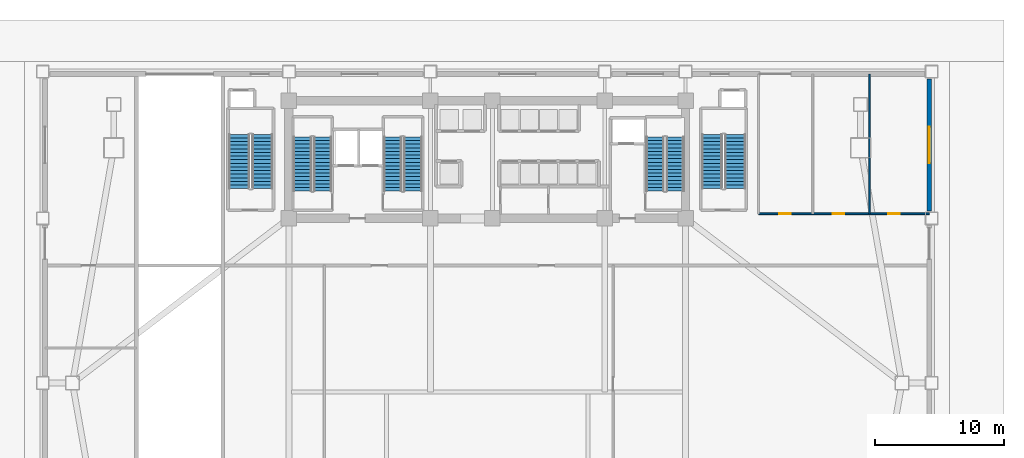
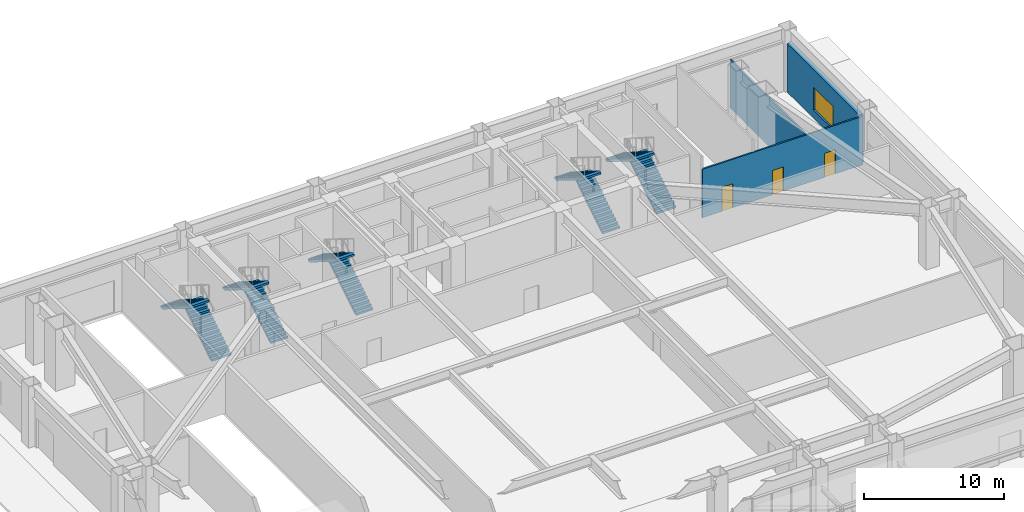
# One storey, part 12 of 18: 10 stair flights, 3 doors, 3 walls, 1 window, 4 openings, 5 elements without a shape of their own.
"""IFC4 building model written with IfcOpenShell, lengths in metres."""

from ifc_helpers import new_model, si_unit, direction, frame, frame_2d, origin, place, context, subcontext, project, spatial, polyline, rectangle, outline, extrude, source, transform, mapped, material, layer, layer_set, type_object, element, fill, aggregate, save


model = new_model("IFC4")

# Units and contexts
model_context = context("Model", 3, precision=1e-05, world=origin(), true_north=direction((0.0, 1.0)))
body_context = subcontext(model_context, "Body", "Model", "MODEL_VIEW")
ifc_project = project(units=[si_unit("LENGTHUNIT", "METRE"), si_unit("AREAUNIT", "SQUARE_METRE"), si_unit("VOLUMEUNIT", "CUBIC_METRE"), si_unit("PLANEANGLEUNIT", "RADIAN"), si_unit("MASSUNIT", "GRAM", prefix="KILO")], contexts=[model_context])

# Site, building, storey
site_placement = place(None, origin())
site = spatial("IfcSite", under=ifc_project, at=site_placement, CompositionType="ELEMENT")
building_placement = place(site_placement, origin())
building = spatial("IfcBuilding", under=site, at=building_placement, Name="Giltprow Tower", CompositionType="ELEMENT")
storey_placement = place(building_placement, origin())
storey = spatial("IfcBuildingStorey", under=building, at=storey_placement, Name="L01", CompositionType="ELEMENT", Elevation=0.0)

# Wall, opening, window
ifc_material_1 = material(Name="Precast concrete C40", Category="concrete")
ifc_layer_1 = layer(ifc_material_1, 0.360107421875, Name="Precast concrete C40")
ifc_layer_set_1 = layer_set([ifc_layer_1], Name="Precast concrete C40")
wall_type_1 = type_object("IfcWallType", Name="EW-POD-STONE-360", PredefinedType="SOLIDWALL", material=ifc_layer_set_1)
wall_1_placement = place(storey_placement, frame((69.419921875, 38.0, 0.0), z_axis=(0.0, 0.0, 1.0), x_axis=(0.0, 1.0, 0.0)))
wall_1 = element("IfcWall", 1, at=wall_1_placement, inside=storey, type_object=wall_type_1, Name="L01 E Podium Masonry Wall 3", PredefinedType="SOLIDWALL", context=body_context, shape_type="SweptSolid", body=[
    extrude(rectangle(XDim=10.25, YDim=0.360107421875, at=frame_2d((5.125, 0.0))), origin(), (0.0, 0.0, 1.0), 4.219970703125),
])
opening_1_placement = place(wall_1_placement, frame((3.72509765625, 0.0, 0.719970703125)))
opening_1 = element("IfcOpeningElement", 2, at=opening_1_placement, cuts=wall_1, Name="Opening WN31", PredefinedType="OPENING", context=body_context, shape_type="SweptSolid", body=[
    extrude(rectangle(XDim=2.800048828125, YDim=2.0, at=frame_2d((1.39990234375, 1.0))), frame((0.0, 0.18994140625, 0.0), z_axis=(0.0, -1.0, 0.0), x_axis=(1.0, 0.0, 0.0)), (0.0, 0.0, 1.0), 0.380126953125),
])
ifc_material_2 = material(Name="Insulated glass", Category="glass")
window_type = type_object("IfcWindowType", Name="WN-POD-2800x2000", PartitioningType="SINGLE_PANEL", PredefinedType="WINDOW", material=ifc_material_2)
shared_shape_1 = source(origin(), body_context, "Body", "SweptSolid", [
    extrude(rectangle(XDim=2.800048828125, YDim=2.0, at=frame_2d((1.39990234375, 1.0))), frame((0.0, 0.030029296875, 0.0), z_axis=(0.0, -1.0, 0.0), x_axis=(1.0, 0.0, 0.0)), (0.0, 0.0, 1.0), 0.06005859375),
])
window_placement = place(opening_1_placement, origin())
window = element("IfcWindow", 3, at=window_placement, inside=storey, type_object=window_type, Name="L01 Podium E Window 3", OverallHeight=2.0, OverallWidth=2.800048828125, PartitioningType="SINGLE_PANEL", PredefinedType="WINDOW", context=body_context, shape_type="MappedRepresentation", body=[
    mapped(shared_shape_1, transform((0.0, 0.0, 0.0), x_axis=(1.0, 0.0, 0.0), y_axis=(0.0, 1.0, 0.0), z_axis=(0.0, 0.0, 1.0), scale=1.0)),
])
fill(opening_1, window)

# Wall, openings, doors
ifc_material_3 = material(Name="Concrete C30", Category="concrete")
ifc_layer_2 = layer(ifc_material_3, 0.1298828125, Name="Concrete C30")
ifc_layer_set_2 = layer_set([ifc_layer_2], Name="Concrete C30")
wall_type_2 = type_object("IfcWallType", Name="IW-WET-130", PredefinedType="PARTITIONING", material=ifc_layer_set_2)
wall_2_placement = place(storey_placement, frame((56.199951171875, 37.800048828125, 0.0), z_axis=(0.0, 0.0, 1.0), x_axis=(1.0, 0.0, 0.0)))
wall_2 = element("IfcWall", 4, at=wall_2_placement, inside=storey, type_object=wall_type_2, Name="L01 Public Washrooms South Wall", PredefinedType="PARTITIONING", context=body_context, shape_type="SweptSolid", body=[
    extrude(rectangle(XDim=13.219970703125, YDim=0.1298828125, at=frame_2d((6.60986328125, 0.0))), origin(), (0.0, 0.0, 1.0), 4.22509765625),
])
opening_2_placement = place(wall_2_placement, frame((1.60009765625, 0.0, 0.0)))
opening_2 = element("IfcOpeningElement", 5, at=opening_2_placement, cuts=wall_2, Name="Opening ID15", PredefinedType="OPENING", context=body_context, shape_type="SweptSolid", body=[
    extrude(rectangle(XDim=0.89990234375, YDim=2.10009765625, at=frame_2d((0.449951171875, 1.050048828125))), frame((0.0, 0.074951171875, 0.0), z_axis=(0.0, -1.0, 0.0), x_axis=(1.0, 0.0, 0.0)), (0.0, 0.0, 1.0), 0.14990234375),
])
opening_3_placement = place(wall_2_placement, frame((5.75, 0.0, 0.0)))
opening_3 = element("IfcOpeningElement", 6, at=opening_3_placement, cuts=wall_2, Name="Opening ID15", PredefinedType="OPENING", context=body_context, shape_type="SweptSolid", body=[
    extrude(rectangle(XDim=0.89990234375, YDim=2.10009765625, at=frame_2d((0.449951171875, 1.050048828125))), frame((0.0, 0.074951171875, 0.0), z_axis=(0.0, -1.0, 0.0), x_axis=(1.0, 0.0, 0.0)), (0.0, 0.0, 1.0), 0.14990234375),
])
opening_4_placement = place(wall_2_placement, frame((10.050048828125, 0.0, 0.0)))
opening_4 = element("IfcOpeningElement", 7, at=opening_4_placement, cuts=wall_2, Name="Opening ID15", PredefinedType="OPENING", context=body_context, shape_type="SweptSolid", body=[
    extrude(rectangle(XDim=0.89990234375, YDim=2.10009765625, at=frame_2d((0.449951171875, 1.050048828125))), frame((0.0, 0.074951171875, 0.0), z_axis=(0.0, -1.0, 0.0), x_axis=(1.0, 0.0, 0.0)), (0.0, 0.0, 1.0), 0.14990234375),
])
ifc_material_4 = material(Name="Engineered timber", Category="wood")
door_type = type_object("IfcDoorType", Name="DR-WC-900", OperationType="SINGLE_SWING_LEFT", PredefinedType="DOOR", material=ifc_material_4)
shared_shape_2 = source(origin(), body_context, "Body", "SweptSolid", [
    extrude(rectangle(XDim=0.89990234375, YDim=2.10009765625, at=frame_2d((0.449951171875, 1.050048828125))), frame((0.0, 0.02490234375, 0.0), z_axis=(0.0, -1.0, 0.0), x_axis=(1.0, 0.0, 0.0)), (0.0, 0.0, 1.0), 0.050048828125),
])
door_1_placement = place(opening_2_placement, origin())
door_1 = element("IfcDoor", 8, at=door_1_placement, inside=storey, type_object=door_type, Name="L01 Male Public Restroom Door", OperationType="SINGLE_SWING_RIGHT", OverallHeight=2.10009765625, OverallWidth=0.89990234375, PredefinedType="DOOR", context=body_context, shape_type="MappedRepresentation", body=[
    mapped(shared_shape_2, transform((0.0, 0.0, 0.0), x_axis=(1.0, 0.0, 0.0), y_axis=(0.0, 1.0, 0.0), z_axis=(0.0, 0.0, 1.0), scale=1.0)),
])
fill(opening_2, door_1)
door_2_placement = place(opening_3_placement, origin())
door_2 = element("IfcDoor", 9, at=door_2_placement, inside=storey, type_object=door_type, Name="L01 Female Public Restroom Door", OperationType="SINGLE_SWING_LEFT", OverallHeight=2.10009765625, OverallWidth=0.89990234375, PredefinedType="DOOR", context=body_context, shape_type="MappedRepresentation", body=[
    mapped(shared_shape_2, transform((0.0, 0.0, 0.0), x_axis=(1.0, 0.0, 0.0), y_axis=(0.0, 1.0, 0.0), z_axis=(0.0, 0.0, 1.0), scale=1.0)),
])
fill(opening_3, door_2)
door_3_placement = place(opening_4_placement, origin())
door_3 = element("IfcDoor", 10, at=door_3_placement, inside=storey, type_object=door_type, Name="L01 Accessible Restroom Door", OperationType="SINGLE_SWING_RIGHT", OverallHeight=2.10009765625, OverallWidth=0.89990234375, PredefinedType="DOOR", context=body_context, shape_type="MappedRepresentation", body=[
    mapped(shared_shape_2, transform((0.0, 0.0, 0.0), x_axis=(1.0, 0.0, 0.0), y_axis=(0.0, 1.0, 0.0), z_axis=(0.0, 0.0, 1.0), scale=1.0)),
])
fill(opening_4, door_3)

# Wall
wall_3_placement = place(storey_placement, frame((64.800048828125, 37.800048828125, 0.0), z_axis=(0.0, 0.0, 1.0), x_axis=(0.0, 1.0, 0.0)))
element("IfcWall", 11, at=wall_3_placement, inside=storey, type_object=wall_type_2, Name="L01 Washroom Divider 2", PredefinedType="PARTITIONING", context=body_context, shape_type="SweptSolid", body=[
    extrude(rectangle(XDim=10.820068359375, YDim=0.1298828125, at=frame_2d((5.41015625, 0.0))), origin(), (0.0, 0.0, 1.0), 4.22509765625),
])

# Stair, stair flights
ifc_material_5 = material(Name="Concrete C40", Category="concrete")
stair_type_1 = type_object("IfcStairType", Name="STR-ST-1", PredefinedType="HALF_TURN_STAIR", material=ifc_material_5)
stair_1_placement = place(storey_placement, origin())
stair_1 = element("IfcStair", 12, at=stair_1_placement, inside=storey, type_object=stair_type_1, Name="L01 Core Exit Stair ST-1", PredefinedType="HALF_TURN_STAIR")
stair_flight_type_1 = type_object("IfcStairFlightType", Name="SFL-ST-1", PredefinedType="STRAIGHT", material=ifc_material_5)
stair_flight_1_placement = place(storey_placement, frame((22.4599609375, 39.550048828125, 0.0), z_axis=(0.0, 0.0, 1.0), x_axis=(0.0, 1.0, 0.0)))
stair_flight_1 = element("IfcStairFlight", 13, at=stair_flight_1_placement, type_object=stair_flight_type_1, Name="ST-1 flight 1", NumberOfRisers=16, NumberOfTreads=15, PredefinedType="STRAIGHT", RiserHeight=0.175, TreadLength=0.28, context=body_context, shape_type="SweptSolid", body=[
    extrude(outline(polyline([(0.0, 0.0), (0.0, 0.175048828125), (0.280029296875, 0.175048828125), (0.280029296875, 0.35009765625), (0.56005859375, 0.35009765625), (0.56005859375, 0.52490234375), (0.840087890625, 0.52490234375), (0.840087890625, 0.699951171875), (1.1201171875, 0.699951171875), (1.1201171875, 0.875), (1.39990234375, 0.875), (1.39990234375, 1.050048828125), (1.679931640625, 1.050048828125), (1.679931640625, 1.22509765625), (1.9599609375, 1.22509765625), (1.9599609375, 1.39990234375), (2.239990234375, 1.39990234375), (2.239990234375, 1.574951171875), (2.52001953125, 1.574951171875), (2.52001953125, 1.75), (2.800048828125, 1.75), (2.800048828125, 1.925048828125), (3.080078125, 1.925048828125), (3.080078125, 2.10009765625), (3.360107421875, 2.10009765625), (3.360107421875, 2.27490234375), (3.639892578125, 2.27490234375), (3.639892578125, 2.449951171875), (3.919921875, 2.449951171875), (3.919921875, 2.625), (4.199951171875, 2.625), (4.199951171875, 2.800048828125), (4.199951171875, 2.4482421875), (0.28271484375, 0.0), (0.0, 0.0)])), frame((0.0, 0.699951171875, 0.0), z_axis=(0.0, -1.0, 0.0), x_axis=(1.0, 0.0, 0.0)), (0.0, 0.0, 1.0), 1.39990234375),
])
stair_flight_2_placement = place(storey_placement, frame((20.89990234375, 43.75, 2.800048828125), z_axis=(0.0, 0.0, 1.0), x_axis=(0.0, -1.0, 0.0)))
stair_flight_2 = element("IfcStairFlight", 14, at=stair_flight_2_placement, type_object=stair_flight_type_1, Name="ST-1 flight 2", NumberOfRisers=16, NumberOfTreads=15, PredefinedType="STRAIGHT", RiserHeight=0.175, TreadLength=0.28, context=body_context, shape_type="SweptSolid", body=[
    extrude(outline(polyline([(0.0, 0.0), (0.0, 0.175048828125), (0.280029296875, 0.175048828125), (0.280029296875, 0.35009765625), (0.56005859375, 0.35009765625), (0.56005859375, 0.52490234375), (0.840087890625, 0.52490234375), (0.840087890625, 0.699951171875), (1.1201171875, 0.699951171875), (1.1201171875, 0.875), (1.39990234375, 0.875), (1.39990234375, 1.050048828125), (1.679931640625, 1.050048828125), (1.679931640625, 1.22509765625), (1.9599609375, 1.22509765625), (1.9599609375, 1.39990234375), (2.239990234375, 1.39990234375), (2.239990234375, 1.574951171875), (2.52001953125, 1.574951171875), (2.52001953125, 1.75), (2.800048828125, 1.75), (2.800048828125, 1.925048828125), (3.080078125, 1.925048828125), (3.080078125, 2.10009765625), (3.360107421875, 2.10009765625), (3.360107421875, 2.27490234375), (3.639892578125, 2.27490234375), (3.639892578125, 2.449951171875), (3.919921875, 2.449951171875), (3.919921875, 2.625), (4.199951171875, 2.625), (4.199951171875, 2.800048828125), (4.199951171875, 2.4482421875), (0.28271484375, 0.0), (0.0, 0.0)])), frame((0.0, 0.699951171875, 0.0), z_axis=(0.0, -1.0, 0.0), x_axis=(1.0, 0.0, 0.0)), (0.0, 0.0, 1.0), 1.39990234375),
])
aggregate(stair_1, [stair_flight_1, stair_flight_2])

stair_type_2 = type_object("IfcStairType", Name="STR-ST-2", PredefinedType="HALF_TURN_STAIR", material=ifc_material_5)
stair_2_placement = place(storey_placement, origin())
stair_2 = element("IfcStair", 15, at=stair_2_placement, inside=storey, type_object=stair_type_2, Name="L01 Core Exit Stair ST-2", PredefinedType="HALF_TURN_STAIR")
stair_flight_type_2 = type_object("IfcStairFlightType", Name="SFL-ST-2", PredefinedType="STRAIGHT", material=ifc_material_5)
stair_flight_3_placement = place(storey_placement, frame((29.4599609375, 39.550048828125, 0.0), z_axis=(0.0, 0.0, 1.0), x_axis=(0.0, 1.0, 0.0)))
stair_flight_3 = element("IfcStairFlight", 16, at=stair_flight_3_placement, type_object=stair_flight_type_2, Name="ST-2 flight 1", NumberOfRisers=16, NumberOfTreads=15, PredefinedType="STRAIGHT", RiserHeight=0.175, TreadLength=0.28, context=body_context, shape_type="SweptSolid", body=[
    extrude(outline(polyline([(0.0, 0.0), (0.0, 0.175048828125), (0.280029296875, 0.175048828125), (0.280029296875, 0.35009765625), (0.56005859375, 0.35009765625), (0.56005859375, 0.52490234375), (0.840087890625, 0.52490234375), (0.840087890625, 0.699951171875), (1.1201171875, 0.699951171875), (1.1201171875, 0.875), (1.39990234375, 0.875), (1.39990234375, 1.050048828125), (1.679931640625, 1.050048828125), (1.679931640625, 1.22509765625), (1.9599609375, 1.22509765625), (1.9599609375, 1.39990234375), (2.239990234375, 1.39990234375), (2.239990234375, 1.574951171875), (2.52001953125, 1.574951171875), (2.52001953125, 1.75), (2.800048828125, 1.75), (2.800048828125, 1.925048828125), (3.080078125, 1.925048828125), (3.080078125, 2.10009765625), (3.360107421875, 2.10009765625), (3.360107421875, 2.27490234375), (3.639892578125, 2.27490234375), (3.639892578125, 2.449951171875), (3.919921875, 2.449951171875), (3.919921875, 2.625), (4.199951171875, 2.625), (4.199951171875, 2.800048828125), (4.199951171875, 2.4482421875), (0.28271484375, 0.0), (0.0, 0.0)])), frame((0.0, 0.699951171875, 0.0), z_axis=(0.0, -1.0, 0.0), x_axis=(1.0, 0.0, 0.0)), (0.0, 0.0, 1.0), 1.39990234375),
])
stair_flight_4_placement = place(storey_placement, frame((27.89990234375, 43.75, 2.800048828125), z_axis=(0.0, 0.0, 1.0), x_axis=(0.0, -1.0, 0.0)))
stair_flight_4 = element("IfcStairFlight", 17, at=stair_flight_4_placement, type_object=stair_flight_type_2, Name="ST-2 flight 2", NumberOfRisers=16, NumberOfTreads=15, PredefinedType="STRAIGHT", RiserHeight=0.175, TreadLength=0.28, context=body_context, shape_type="SweptSolid", body=[
    extrude(outline(polyline([(0.0, 0.0), (0.0, 0.175048828125), (0.280029296875, 0.175048828125), (0.280029296875, 0.35009765625), (0.56005859375, 0.35009765625), (0.56005859375, 0.52490234375), (0.840087890625, 0.52490234375), (0.840087890625, 0.699951171875), (1.1201171875, 0.699951171875), (1.1201171875, 0.875), (1.39990234375, 0.875), (1.39990234375, 1.050048828125), (1.679931640625, 1.050048828125), (1.679931640625, 1.22509765625), (1.9599609375, 1.22509765625), (1.9599609375, 1.39990234375), (2.239990234375, 1.39990234375), (2.239990234375, 1.574951171875), (2.52001953125, 1.574951171875), (2.52001953125, 1.75), (2.800048828125, 1.75), (2.800048828125, 1.925048828125), (3.080078125, 1.925048828125), (3.080078125, 2.10009765625), (3.360107421875, 2.10009765625), (3.360107421875, 2.27490234375), (3.639892578125, 2.27490234375), (3.639892578125, 2.449951171875), (3.919921875, 2.449951171875), (3.919921875, 2.625), (4.199951171875, 2.625), (4.199951171875, 2.800048828125), (4.199951171875, 2.4482421875), (0.28271484375, 0.0), (0.0, 0.0)])), frame((0.0, 0.699951171875, 0.0), z_axis=(0.0, -1.0, 0.0), x_axis=(1.0, 0.0, 0.0)), (0.0, 0.0, 1.0), 1.39990234375),
])
aggregate(stair_2, [stair_flight_3, stair_flight_4])

stair_type_3 = type_object("IfcStairType", Name="STR-ST-3", PredefinedType="HALF_TURN_STAIR", material=ifc_material_5)
stair_3_placement = place(storey_placement, origin())
stair_3 = element("IfcStair", 18, at=stair_3_placement, inside=storey, type_object=stair_type_3, Name="L01 Core Exit Stair ST-3", PredefinedType="HALF_TURN_STAIR")
stair_flight_type_3 = type_object("IfcStairFlightType", Name="SFL-ST-3", PredefinedType="STRAIGHT", material=ifc_material_5)
stair_flight_5_placement = place(storey_placement, frame((49.760009765625, 39.550048828125, 0.0), z_axis=(0.0, 0.0, 1.0), x_axis=(0.0, 1.0, 0.0)))
stair_flight_5 = element("IfcStairFlight", 19, at=stair_flight_5_placement, type_object=stair_flight_type_3, Name="ST-3 flight 1", NumberOfRisers=16, NumberOfTreads=15, PredefinedType="STRAIGHT", RiserHeight=0.175, TreadLength=0.28, context=body_context, shape_type="SweptSolid", body=[
    extrude(outline(polyline([(0.0, 0.0), (0.0, 0.175048828125), (0.280029296875, 0.175048828125), (0.280029296875, 0.35009765625), (0.56005859375, 0.35009765625), (0.56005859375, 0.52490234375), (0.840087890625, 0.52490234375), (0.840087890625, 0.699951171875), (1.1201171875, 0.699951171875), (1.1201171875, 0.875), (1.39990234375, 0.875), (1.39990234375, 1.050048828125), (1.679931640625, 1.050048828125), (1.679931640625, 1.22509765625), (1.9599609375, 1.22509765625), (1.9599609375, 1.39990234375), (2.239990234375, 1.39990234375), (2.239990234375, 1.574951171875), (2.52001953125, 1.574951171875), (2.52001953125, 1.75), (2.800048828125, 1.75), (2.800048828125, 1.925048828125), (3.080078125, 1.925048828125), (3.080078125, 2.10009765625), (3.360107421875, 2.10009765625), (3.360107421875, 2.27490234375), (3.639892578125, 2.27490234375), (3.639892578125, 2.449951171875), (3.919921875, 2.449951171875), (3.919921875, 2.625), (4.199951171875, 2.625), (4.199951171875, 2.800048828125), (4.199951171875, 2.4482421875), (0.28271484375, 0.0), (0.0, 0.0)])), frame((0.0, 0.699951171875, 0.0), z_axis=(0.0, -1.0, 0.0), x_axis=(1.0, 0.0, 0.0)), (0.0, 0.0, 1.0), 1.39990234375),
])
stair_flight_6_placement = place(storey_placement, frame((48.199951171875, 43.75, 2.800048828125), z_axis=(0.0, 0.0, 1.0), x_axis=(0.0, -1.0, 0.0)))
stair_flight_6 = element("IfcStairFlight", 20, at=stair_flight_6_placement, type_object=stair_flight_type_3, Name="ST-3 flight 2", NumberOfRisers=16, NumberOfTreads=15, PredefinedType="STRAIGHT", RiserHeight=0.175, TreadLength=0.28, context=body_context, shape_type="SweptSolid", body=[
    extrude(outline(polyline([(0.0, 0.0), (0.0, 0.175048828125), (0.280029296875, 0.175048828125), (0.280029296875, 0.35009765625), (0.56005859375, 0.35009765625), (0.56005859375, 0.52490234375), (0.840087890625, 0.52490234375), (0.840087890625, 0.699951171875), (1.1201171875, 0.699951171875), (1.1201171875, 0.875), (1.39990234375, 0.875), (1.39990234375, 1.050048828125), (1.679931640625, 1.050048828125), (1.679931640625, 1.22509765625), (1.9599609375, 1.22509765625), (1.9599609375, 1.39990234375), (2.239990234375, 1.39990234375), (2.239990234375, 1.574951171875), (2.52001953125, 1.574951171875), (2.52001953125, 1.75), (2.800048828125, 1.75), (2.800048828125, 1.925048828125), (3.080078125, 1.925048828125), (3.080078125, 2.10009765625), (3.360107421875, 2.10009765625), (3.360107421875, 2.27490234375), (3.639892578125, 2.27490234375), (3.639892578125, 2.449951171875), (3.919921875, 2.449951171875), (3.919921875, 2.625), (4.199951171875, 2.625), (4.199951171875, 2.800048828125), (4.199951171875, 2.4482421875), (0.28271484375, 0.0), (0.0, 0.0)])), frame((0.0, 0.699951171875, 0.0), z_axis=(0.0, -1.0, 0.0), x_axis=(1.0, 0.0, 0.0)), (0.0, 0.0, 1.0), 1.39990234375),
])
aggregate(stair_3, [stair_flight_5, stair_flight_6])

stair_type_4 = type_object("IfcStairType", Name="STR-ST-P1", PredefinedType="HALF_TURN_STAIR", material=ifc_material_5)
stair_4_placement = place(storey_placement, origin())
stair_4 = element("IfcStair", 21, at=stair_4_placement, inside=storey, type_object=stair_type_4, Name="L01 Podium Exit Stair ST-P1", PredefinedType="HALF_TURN_STAIR")
stair_flight_type_4 = type_object("IfcStairFlightType", Name="SFL-ST-P1", PredefinedType="STRAIGHT", material=ifc_material_5)
stair_flight_7_placement = place(storey_placement, frame((17.800048828125, 39.75, 0.0), z_axis=(0.0, 0.0, 1.0), x_axis=(0.0, 1.0, 0.0)))
stair_flight_7 = element("IfcStairFlight", 22, at=stair_flight_7_placement, type_object=stair_flight_type_4, Name="ST-P1 flight 1", NumberOfRisers=16, NumberOfTreads=15, PredefinedType="STRAIGHT", RiserHeight=0.175, TreadLength=0.28, context=body_context, shape_type="SweptSolid", body=[
    extrude(outline(polyline([(0.0, 0.0), (0.0, 0.175048828125), (0.280029296875, 0.175048828125), (0.280029296875, 0.35009765625), (0.56005859375, 0.35009765625), (0.56005859375, 0.52490234375), (0.840087890625, 0.52490234375), (0.840087890625, 0.699951171875), (1.1201171875, 0.699951171875), (1.1201171875, 0.875), (1.39990234375, 0.875), (1.39990234375, 1.050048828125), (1.679931640625, 1.050048828125), (1.679931640625, 1.22509765625), (1.9599609375, 1.22509765625), (1.9599609375, 1.39990234375), (2.239990234375, 1.39990234375), (2.239990234375, 1.574951171875), (2.52001953125, 1.574951171875), (2.52001953125, 1.75), (2.800048828125, 1.75), (2.800048828125, 1.925048828125), (3.080078125, 1.925048828125), (3.080078125, 2.10009765625), (3.360107421875, 2.10009765625), (3.360107421875, 2.27490234375), (3.639892578125, 2.27490234375), (3.639892578125, 2.449951171875), (3.919921875, 2.449951171875), (3.919921875, 2.625), (4.199951171875, 2.625), (4.199951171875, 2.800048828125), (4.199951171875, 2.4482421875), (0.28271484375, 0.0), (0.0, 0.0)])), frame((0.0, 0.800048828125, 0.0), z_axis=(0.0, -1.0, 0.0), x_axis=(1.0, 0.0, 0.0)), (0.0, 0.0, 1.0), 1.60009765625),
])
stair_flight_8_placement = place(storey_placement, frame((16.0, 43.949951171875, 2.800048828125), z_axis=(0.0, 0.0, 1.0), x_axis=(0.0, -1.0, 0.0)))
stair_flight_8 = element("IfcStairFlight", 23, at=stair_flight_8_placement, type_object=stair_flight_type_4, Name="ST-P1 flight 2", NumberOfRisers=16, NumberOfTreads=15, PredefinedType="STRAIGHT", RiserHeight=0.175, TreadLength=0.28, context=body_context, shape_type="SweptSolid", body=[
    extrude(outline(polyline([(0.0, 0.0), (0.0, 0.175048828125), (0.280029296875, 0.175048828125), (0.280029296875, 0.35009765625), (0.56005859375, 0.35009765625), (0.56005859375, 0.52490234375), (0.840087890625, 0.52490234375), (0.840087890625, 0.699951171875), (1.1201171875, 0.699951171875), (1.1201171875, 0.875), (1.39990234375, 0.875), (1.39990234375, 1.050048828125), (1.679931640625, 1.050048828125), (1.679931640625, 1.22509765625), (1.9599609375, 1.22509765625), (1.9599609375, 1.39990234375), (2.239990234375, 1.39990234375), (2.239990234375, 1.574951171875), (2.52001953125, 1.574951171875), (2.52001953125, 1.75), (2.800048828125, 1.75), (2.800048828125, 1.925048828125), (3.080078125, 1.925048828125), (3.080078125, 2.10009765625), (3.360107421875, 2.10009765625), (3.360107421875, 2.27490234375), (3.639892578125, 2.27490234375), (3.639892578125, 2.449951171875), (3.919921875, 2.449951171875), (3.919921875, 2.625), (4.199951171875, 2.625), (4.199951171875, 2.800048828125), (4.199951171875, 2.4482421875), (0.28271484375, 0.0), (0.0, 0.0)])), frame((0.0, 0.800048828125, 0.0), z_axis=(0.0, -1.0, 0.0), x_axis=(1.0, 0.0, 0.0)), (0.0, 0.0, 1.0), 1.60009765625),
])
aggregate(stair_4, [stair_flight_7, stair_flight_8])

stair_type_5 = type_object("IfcStairType", Name="STR-ST-P2", PredefinedType="HALF_TURN_STAIR", material=ifc_material_5)
stair_5_placement = place(storey_placement, origin())
stair_5 = element("IfcStair", 24, at=stair_5_placement, inside=storey, type_object=stair_type_5, Name="L01 Podium Exit Stair ST-P2", PredefinedType="HALF_TURN_STAIR")
stair_flight_type_5 = type_object("IfcStairFlightType", Name="SFL-ST-P2", PredefinedType="STRAIGHT", material=ifc_material_5)
stair_flight_9_placement = place(storey_placement, frame((54.39990234375, 39.75, 0.0), z_axis=(0.0, 0.0, 1.0), x_axis=(0.0, 1.0, 0.0)))
stair_flight_9 = element("IfcStairFlight", 25, at=stair_flight_9_placement, type_object=stair_flight_type_5, Name="ST-P2 flight 1", NumberOfRisers=16, NumberOfTreads=15, PredefinedType="STRAIGHT", RiserHeight=0.175, TreadLength=0.28, context=body_context, shape_type="SweptSolid", body=[
    extrude(outline(polyline([(0.0, 0.0), (0.0, 0.175048828125), (0.280029296875, 0.175048828125), (0.280029296875, 0.35009765625), (0.56005859375, 0.35009765625), (0.56005859375, 0.52490234375), (0.840087890625, 0.52490234375), (0.840087890625, 0.699951171875), (1.1201171875, 0.699951171875), (1.1201171875, 0.875), (1.39990234375, 0.875), (1.39990234375, 1.050048828125), (1.679931640625, 1.050048828125), (1.679931640625, 1.22509765625), (1.9599609375, 1.22509765625), (1.9599609375, 1.39990234375), (2.239990234375, 1.39990234375), (2.239990234375, 1.574951171875), (2.52001953125, 1.574951171875), (2.52001953125, 1.75), (2.800048828125, 1.75), (2.800048828125, 1.925048828125), (3.080078125, 1.925048828125), (3.080078125, 2.10009765625), (3.360107421875, 2.10009765625), (3.360107421875, 2.27490234375), (3.639892578125, 2.27490234375), (3.639892578125, 2.449951171875), (3.919921875, 2.449951171875), (3.919921875, 2.625), (4.199951171875, 2.625), (4.199951171875, 2.800048828125), (4.199951171875, 2.4482421875), (0.28271484375, 0.0), (0.0, 0.0)])), frame((0.0, 0.800048828125, 0.0), z_axis=(0.0, -1.0, 0.0), x_axis=(1.0, 0.0, 0.0)), (0.0, 0.0, 1.0), 1.60009765625),
])
stair_flight_10_placement = place(storey_placement, frame((52.60009765625, 43.949951171875, 2.800048828125), z_axis=(0.0, 0.0, 1.0), x_axis=(0.0, -1.0, 0.0)))
stair_flight_10 = element("IfcStairFlight", 26, at=stair_flight_10_placement, type_object=stair_flight_type_5, Name="ST-P2 flight 2", NumberOfRisers=16, NumberOfTreads=15, PredefinedType="STRAIGHT", RiserHeight=0.175, TreadLength=0.28, context=body_context, shape_type="SweptSolid", body=[
    extrude(outline(polyline([(0.0, 0.0), (0.0, 0.175048828125), (0.280029296875, 0.175048828125), (0.280029296875, 0.35009765625), (0.56005859375, 0.35009765625), (0.56005859375, 0.52490234375), (0.840087890625, 0.52490234375), (0.840087890625, 0.699951171875), (1.1201171875, 0.699951171875), (1.1201171875, 0.875), (1.39990234375, 0.875), (1.39990234375, 1.050048828125), (1.679931640625, 1.050048828125), (1.679931640625, 1.22509765625), (1.9599609375, 1.22509765625), (1.9599609375, 1.39990234375), (2.239990234375, 1.39990234375), (2.239990234375, 1.574951171875), (2.52001953125, 1.574951171875), (2.52001953125, 1.75), (2.800048828125, 1.75), (2.800048828125, 1.925048828125), (3.080078125, 1.925048828125), (3.080078125, 2.10009765625), (3.360107421875, 2.10009765625), (3.360107421875, 2.27490234375), (3.639892578125, 2.27490234375), (3.639892578125, 2.449951171875), (3.919921875, 2.449951171875), (3.919921875, 2.625), (4.199951171875, 2.625), (4.199951171875, 2.800048828125), (4.199951171875, 2.4482421875), (0.28271484375, 0.0), (0.0, 0.0)])), frame((0.0, 0.800048828125, 0.0), z_axis=(0.0, -1.0, 0.0), x_axis=(1.0, 0.0, 0.0)), (0.0, 0.0, 1.0), 1.60009765625),
])
aggregate(stair_5, [stair_flight_9, stair_flight_10])

save(model, "model.ifc")
